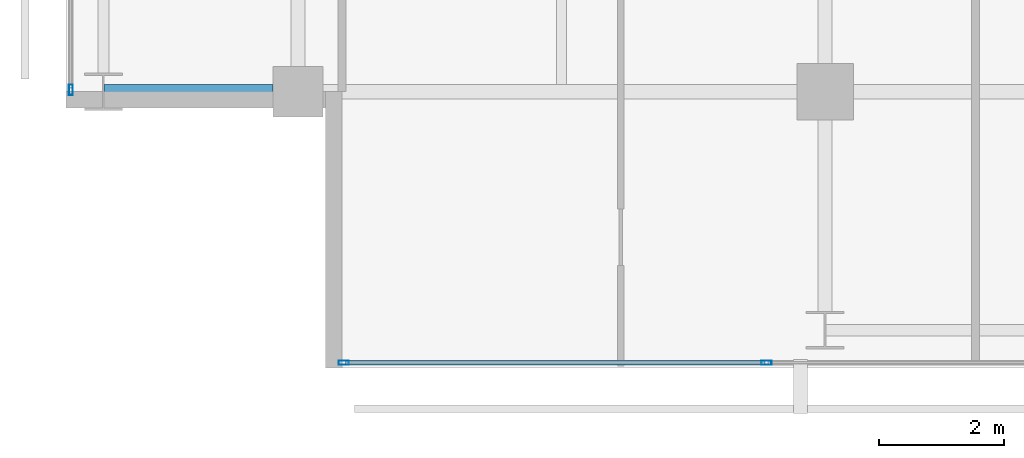
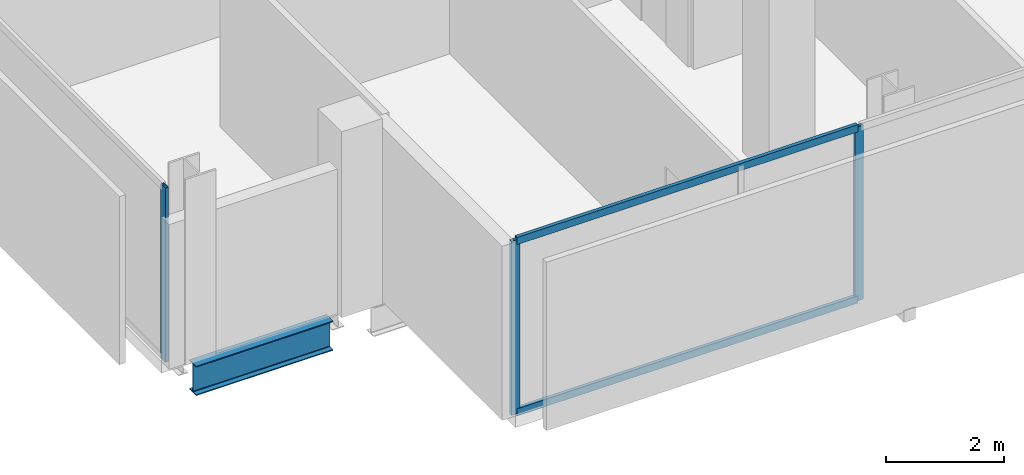
# One storey, part 2 of 33: 5 members, 1 beam, 2 elements without a shape of their own.
"""IFC4 building model written with IfcOpenShell, lengths in metres."""

import ifcopenshell
import ifcopenshell.guid

model = None  # the IFC model being written
_history = None  # IfcOwnerHistory: only IFC2X3 demands one
_inside = {}  # id of a spatial element -> (the spatial element, [elements in it])
_under = {}  # id of a project, library or spatial element -> (it, [spatial elements below it])
_declared = {}  # id of a project -> (the project, [libraries it declares])
_typed = {}  # id of a type object -> (the type object, [elements of that type])
_made_of = {}  # id of a material, layer set ... -> (it, [elements and type objects made of it])


def new_model(schema):
    """Start an empty IFC model of exactly this schema.

    Asked for "IFC4X3", IfcOpenShell would pick the latest addendum, in which some entities
    have other attributes; the version numbers below select the first issue.
    IFC2X3 requires an IfcOwnerHistory on every rooted entity: one is made here for all.
    """
    global model, _history
    if schema == "IFC4X3":
        model = ifcopenshell.file(schema_version=(4, 3, 0, 0))
    else:
        model = ifcopenshell.file(schema=schema)
    _inside.clear()
    _under.clear()
    _declared.clear()
    _typed.clear()
    _made_of.clear()
    _history = None
    if model.schema == "IFC2X3":
        org = make("IfcOrganization", Name="unknown")
        user = make(
            "IfcPersonAndOrganization",
            ThePerson=make("IfcPerson", FamilyName="unknown"),
            TheOrganization=org,
        )
        app = make(
            "IfcApplication",
            ApplicationDeveloper=org,
            Version="unknown",
            ApplicationFullName="unknown",
            ApplicationIdentifier="unknown",
        )
        _history = make(
            "IfcOwnerHistory",
            OwningUser=user,
            OwningApplication=app,
            ChangeAction="ADDED",
            CreationDate=0,
        )
    return model


def make(cls, **values):
    """One entity of the class cls with the attributes given. An attribute that is None is left unset."""
    return model.create_entity(
        cls, **{name: value for name, value in values.items() if value is not None}
    )


def rooted(cls, **values):
    """An entity with a GlobalId (a new one), such as an element, a storey or a relation."""
    return make(cls, GlobalId=ifcopenshell.guid.new(), OwnerHistory=_history, **values)


def si_unit(unit_type, name, prefix=None):
    """IfcSIUnit, for example si_unit("LENGTHUNIT", "METRE", prefix="MILLI")."""
    return make("IfcSIUnit", UnitType=unit_type, Prefix=prefix, Name=name)


def assignment(units):
    """IfcUnitAssignment: the units of a project."""
    return None if units is None else make("IfcUnitAssignment", Units=units)


def point(xyz):
    """IfcCartesianPoint."""
    return None if xyz is None else make("IfcCartesianPoint", Coordinates=xyz)


def direction(xyz):
    """IfcDirection."""
    return None if xyz is None else make("IfcDirection", DirectionRatios=xyz)


def frame(location, z_axis=None, x_axis=None):
    """IfcAxis2Placement3D, a coordinate frame: its origin and axes. An axis left out is left unset."""
    return make(
        "IfcAxis2Placement3D",
        Location=point(location),
        Axis=direction(z_axis),
        RefDirection=direction(x_axis),
    )


def frame_2d(location, x_axis=None):
    """IfcAxis2Placement2D, a coordinate frame in the plane: its origin and x axis."""
    return make(
        "IfcAxis2Placement2D", Location=point(location), RefDirection=direction(x_axis)
    )


def origin():
    """The frame at (0, 0, 0) with its axes left unset."""
    return frame((0.0, 0.0, 0.0))


def origin_2d():
    """The frame at (0, 0) in the plane with its x axis left unset."""
    return frame_2d((0.0, 0.0))


def place(relative_to, where):
    """IfcLocalPlacement: puts the frame where relative to a parent placement (None: the world)."""
    return make(
        "IfcLocalPlacement", PlacementRelTo=relative_to, RelativePlacement=where
    )


def context(
    kind, dimensions, precision=None, world=None, true_north=None, identifier=None
):
    """IfcGeometricRepresentationContext, for example the 3D "Model" context."""
    return make(
        "IfcGeometricRepresentationContext",
        ContextIdentifier=identifier,
        ContextType=kind,
        CoordinateSpaceDimension=dimensions,
        Precision=precision,
        WorldCoordinateSystem=world,
        TrueNorth=true_north,
    )


def subcontext(parent, identifier, kind, view, scale=None):
    """IfcGeometricRepresentationSubContext, for example "Body" below "Model"."""
    return make(
        "IfcGeometricRepresentationSubContext",
        ContextIdentifier=identifier,
        ContextType=kind,
        ParentContext=parent,
        TargetScale=scale,
        TargetView=view,
    )


def project(units=None, contexts=None):
    """IfcProject with its units and contexts."""
    return rooted(
        "IfcProject",
        Name="project",
        RepresentationContexts=contexts,
        UnitsInContext=assignment(units),
    )


def spatial(cls, under=None, at=None, **own):
    """A site, building, storey or space (cls), placed at a placement, below another one or the project."""
    s = rooted(cls, ObjectPlacement=at, **own)
    if under is not None:
        _under.setdefault(under.id(), (under, []))[1].append(s)
    return s


def profile(cls, at=None, kind="AREA", **sizes):
    """A parametric profile (cls). Its sizes go by their IFC names, for example OverallWidth=200.0."""
    return make(cls, ProfileType=kind, Position=at, **sizes)


def hollow_rectangle(**sizes):
    """IfcRectangleHollowProfileDef."""
    return profile("IfcRectangleHollowProfileDef", **sizes)


def i_section(**sizes):
    """IfcIShapeProfileDef."""
    return profile("IfcIShapeProfileDef", **sizes)


def extrude(swept, where, along, depth):
    """IfcExtrudedAreaSolid: the profile swept, set in the frame where, extruded along a direction by depth."""
    return make(
        "IfcExtrudedAreaSolid",
        SweptArea=swept,
        Position=where,
        ExtrudedDirection=direction(along),
        Depth=depth,
    )


def shape(context_of_items, identifier, shape_type, items):
    """IfcShapeRepresentation: the items that make up one representation, for example the "Body"."""
    return make(
        "IfcShapeRepresentation",
        ContextOfItems=context_of_items,
        RepresentationIdentifier=identifier,
        RepresentationType=shape_type,
        Items=items,
    )


def material(Name=None, Category=None):
    """IfcMaterial."""
    return make("IfcMaterial", Name=Name, Category=Category)


def layer(
    of_material, thickness, ventilated=None, Name=None, Category=None, Priority=None
):
    """IfcMaterialLayer: one layer of a wall or slab, of a material (None: an air gap)."""
    return make(
        "IfcMaterialLayer",
        Material=of_material,
        LayerThickness=thickness,
        IsVentilated=ventilated,
        Name=Name,
        Category=Category,
        Priority=Priority,
    )


def layer_set(layers, Name=None):
    """IfcMaterialLayerSet."""
    return make("IfcMaterialLayerSet", MaterialLayers=layers, LayerSetName=Name)


def material_profile(
    of_material, cross_section, Name=None, Category=None, Priority=None
):
    """IfcMaterialProfile: a cross section and its material."""
    return make(
        "IfcMaterialProfile",
        Name=Name,
        Material=of_material,
        Profile=cross_section,
        Priority=Priority,
        Category=Category,
    )


def profile_set(profiles, Name=None, composite=None):
    """IfcMaterialProfileSet."""
    return make(
        "IfcMaterialProfileSet",
        Name=Name,
        MaterialProfiles=profiles,
        CompositeProfile=composite,
    )


def made_of(thing, what):
    """Note that an element or type object is made of a material, layer set ...; save() writes the relation."""
    if what is not None:
        _made_of.setdefault(what.id(), (what, []))[1].append(thing)
    return thing


def type_object(cls, material=None, **own):
    """A type object (cls), such as IfcWallType, which elements share."""
    return made_of(rooted(cls, **own), material)


def element(
    cls,
    number,
    at=None,
    inside=None,
    cuts=None,
    type_object=None,
    material=None,
    context=None,
    identifier="Body",
    shape_type=None,
    held_by="IfcProductDefinitionShape",
    body=None,
    shapes=None,
    **own,
):
    """One element of the class cls, such as IfcWall. Its Tag is "e" and its number.

    at: its placement. inside: the storey or other place that contains it. cuts: it is an
    opening in that element (IfcRelVoidsElement). A single representation is given by context,
    identifier, shape_type and body (its items); several are given by shapes. held_by: the class
    of the entity that holds the representations. save() writes the other relations.
    """
    e = rooted(cls, Tag="e%d" % number, ObjectPlacement=at, **own)
    if body is not None:
        shapes = [shape(context, identifier, shape_type, body)]
    if shapes is not None:
        e.Representation = make(held_by, Representations=shapes)
    if inside is not None:
        _inside.setdefault(inside.id(), (inside, []))[1].append(e)
    if cuts is not None:
        rooted(
            "IfcRelVoidsElement", RelatingBuildingElement=cuts, RelatedOpeningElement=e
        )
    if type_object is not None:
        _typed.setdefault(type_object.id(), (type_object, []))[1].append(e)
    return made_of(e, material)


def aggregate(whole, parts):
    """IfcRelAggregates: a whole, such as a stair, and the parts it consists of."""
    return rooted("IfcRelAggregates", RelatingObject=whole, RelatedObjects=parts)


def save(model, path):
    """Write the relations noted so far, then the file.

    IfcRelAggregates (storeys below a building ...), IfcRelContainedInSpatialStructure (elements
    in a storey), IfcRelDefinesByType, IfcRelAssociatesMaterial and IfcRelDeclares: one each for
    every whole, place, type object, material and project.
    """
    for whole, parts in _under.values():
        aggregate(whole, parts)
    for where, things in _inside.values():
        rooted(
            "IfcRelContainedInSpatialStructure",
            RelatedElements=things,
            RelatingStructure=where,
        )
    for kind, things in _typed.values():
        rooted("IfcRelDefinesByType", RelatedObjects=things, RelatingType=kind)
    for what, things in _made_of.values():
        rooted("IfcRelAssociatesMaterial", RelatedObjects=things, RelatingMaterial=what)
    for by, libraries in _declared.values():
        rooted("IfcRelDeclares", RelatingContext=by, RelatedDefinitions=libraries)
    model.write(path)


model = new_model("IFC4")

# Units and contexts
model_context = context("Model", 3, precision=1e-05, world=origin(), true_north=direction((0.0, 1.0)))
body_context = subcontext(model_context, "Body", "Model", "MODEL_VIEW")
ifc_project = project(units=[si_unit("LENGTHUNIT", "METRE"), si_unit("AREAUNIT", "SQUARE_METRE"), si_unit("VOLUMEUNIT", "CUBIC_METRE"), si_unit("PLANEANGLEUNIT", "RADIAN"), si_unit("MASSUNIT", "GRAM", prefix="KILO")], contexts=[model_context])

# Site, building, storey
site_placement = place(None, origin())
site = spatial("IfcSite", under=ifc_project, at=site_placement, CompositionType="ELEMENT")
building_placement = place(site_placement, origin())
building = spatial("IfcBuilding", under=site, at=building_placement, Name="Maruvema Waterfront Hotel and Observation Tower", CompositionType="ELEMENT")
storey_placement = place(building_placement, frame((0.0, 0.0, 142.800048828125)))
storey = spatial("IfcBuildingStorey", under=building, at=storey_placement, Name="L34", CompositionType="ELEMENT", Elevation=142.800048828125)

# Curtain wall, members
ifc_material_1 = material(Name="Anodised bronze aluminium and solar-control low-E IGU", Category="aluminium")
ifc_layer = layer(ifc_material_1, 0.159912109375, Name="Zone 2 Amber Inner Thermal Curtain Wall System CW-03")
ifc_layer_set = layer_set([ifc_layer], Name="Anodised bronze aluminium and solar-control low-E IGU")
curtain_wall_type = type_object("IfcCurtainWallType", Name="Zone 2 Amber Inner Thermal Curtain Wall System CW-03", PredefinedType="USERDEFINED", material=ifc_layer_set)
curtain_wall_1_placement = place(storey_placement, origin())
curtain_wall_1 = element("IfcCurtainWall", 1, at=curtain_wall_1_placement, inside=storey, type_object=curtain_wall_type, Name="L34 Curtain Wall CW-L34-S", ObjectType="UNITISED CURTAIN WALL", PredefinedType="USERDEFINED")
ifc_material_2 = material(Name="Anodised architectural bronze aluminium", Category="aluminium")
ifc_material_profile_1 = material_profile(ifc_material_2, hollow_rectangle(XDim=0.070068359375, YDim=0.14990234375, WallThickness=0.00390625, at=origin_2d()), Name="ALU-T70x150")
ifc_profile_set_1 = profile_set([ifc_material_profile_1], Name="Anodised architectural bronze aluminium")
member_type_1 = type_object("IfcMemberType", Name="Curtain Wall Horizontal Transom ALU-T70x150", PredefinedType="USERDEFINED", material=ifc_profile_set_1)
member_1_placement = place(storey_placement, frame((17.56005859375, 4.679931640625, 0.030029296875), z_axis=(1.0, 0.0, 0.0), x_axis=(0.0, 1.0, 0.0)))
member_1 = element("IfcMember", 2, at=member_1_placement, type_object=member_type_1, Name="CW-03 transom 1.1", ObjectType="TRANSOM", PredefinedType="USERDEFINED", context=body_context, shape_type="SweptSolid", body=[
    extrude(hollow_rectangle(XDim=0.070068359375, YDim=0.14990234375, WallThickness=0.00390625, at=origin_2d()), origin(), (0.0, 0.0, 1.0), 6.676513671875),
])
member_2_placement = place(storey_placement, frame((17.56005859375, 4.679931640625, 3.579833984375), z_axis=(1.0, 0.0, 0.0), x_axis=(0.0, 1.0, 0.0)))
member_2 = element("IfcMember", 3, at=member_2_placement, type_object=member_type_1, Name="CW-03 transom 1.2", ObjectType="TRANSOM", PredefinedType="USERDEFINED", context=body_context, shape_type="SweptSolid", body=[
    extrude(hollow_rectangle(XDim=0.070068359375, YDim=0.14990234375, WallThickness=0.00390625, at=origin_2d()), origin(), (0.0, 0.0, 1.0), 6.676513671875),
])
ifc_material_3 = material(Name="Anodised architectural bronze aluminium", Category="aluminium")
ifc_material_profile_2 = material_profile(ifc_material_3, hollow_rectangle(XDim=0.06494140625, YDim=0.1650390625, WallThickness=0.00390625, at=origin_2d()), Name="ALU-M65x165")
ifc_profile_set_2 = profile_set([ifc_material_profile_2], Name="Anodised architectural bronze aluminium")
member_type_2 = type_object("IfcMemberType", Name="Curtain Wall Primary Mullion ALU-M65x165", PredefinedType="MULLION", material=ifc_profile_set_2)
member_3_placement = place(storey_placement, frame((17.530029296875, 4.679931640625, 0.0), z_axis=(0.0, 0.0, 1.0), x_axis=(0.0, 1.0, 0.0)))
member_3 = element("IfcMember", 4, at=member_3_placement, type_object=member_type_2, Name="CW-03 mullion 1", PredefinedType="MULLION", context=body_context, shape_type="SweptSolid", body=[
    extrude(hollow_rectangle(XDim=0.06494140625, YDim=0.1650390625, WallThickness=0.00390625, at=origin_2d()), origin(), (0.0, 0.0, 1.0), 3.60986328125),
])
member_4_placement = place(storey_placement, frame((24.2666015625, 4.679931640625, 0.0), z_axis=(0.0, 0.0, 1.0), x_axis=(0.0, 1.0, 0.0)))
member_4 = element("IfcMember", 5, at=member_4_placement, type_object=member_type_2, Name="CW-03 mullion 2", PredefinedType="MULLION", context=body_context, shape_type="SweptSolid", body=[
    extrude(hollow_rectangle(XDim=0.06494140625, YDim=0.1650390625, WallThickness=0.00390625, at=origin_2d()), origin(), (0.0, 0.0, 1.0), 3.60986328125),
])
aggregate(curtain_wall_1, [member_3, member_4, member_1, member_2])

# Curtain wall, member
curtain_wall_2_placement = place(storey_placement, origin())
curtain_wall_2 = element("IfcCurtainWall", 6, at=curtain_wall_2_placement, inside=storey, type_object=curtain_wall_type, Name="L34 Curtain Wall CW-L34-W", ObjectType="UNITISED CURTAIN WALL", PredefinedType="USERDEFINED")
member_5_placement = place(storey_placement, frame((13.179931640625, 9.030029296875, 0.0), z_axis=(0.0, 0.0, 1.0), x_axis=(1.0, 0.0, 0.0)))
member_5 = element("IfcMember", 7, at=member_5_placement, type_object=member_type_2, Name="CW-03 mullion 7", PredefinedType="MULLION", context=body_context, shape_type="SweptSolid", body=[
    extrude(hollow_rectangle(XDim=0.06494140625, YDim=0.1650390625, WallThickness=0.00390625, at=origin_2d()), origin(), (0.0, 0.0, 1.0), 3.60986328125),
])
aggregate(curtain_wall_2, [member_5])

# Beam
ifc_material_4 = material(Name="Steel ASTM A572 Grade 50", Category="steel")
ifc_material_profile_3 = material_profile(ifc_material_4, i_section(OverallWidth=0.22900390625, OverallDepth=0.612060546875, WebThickness=0.011962890625, FlangeThickness=0.01953125, FilletRadius=0.01806640625, at=origin_2d()), Name="W610x125.0")
ifc_profile_set_3 = profile_set([ifc_material_profile_3], Name="Steel ASTM A572 Grade 50")
beam_type = type_object("IfcBeamType", Name="Primary Floor Girder W610x125.0", PredefinedType="BEAM", material=ifc_profile_set_3)
beam_placement = place(storey_placement, frame((13.71240234375, 9.0, -0.546142578125), z_axis=(1.0, 0.0, 0.0), x_axis=(0.0, 1.0, 0.0)))
element("IfcBeam", 8, at=beam_placement, inside=storey, type_object=beam_type, Name="L34 Floor Girder EW-04", PredefinedType="BEAM", context=body_context, shape_type="SweptSolid", body=[
    extrude(i_section(OverallWidth=0.22900390625, OverallDepth=0.612060546875, WebThickness=0.011962890625, FlangeThickness=0.01953125, FilletRadius=0.01806640625, at=origin_2d()), origin(), (0.0, 0.0, 1.0), 2.6875),
])

save(model, "model.ifc")
